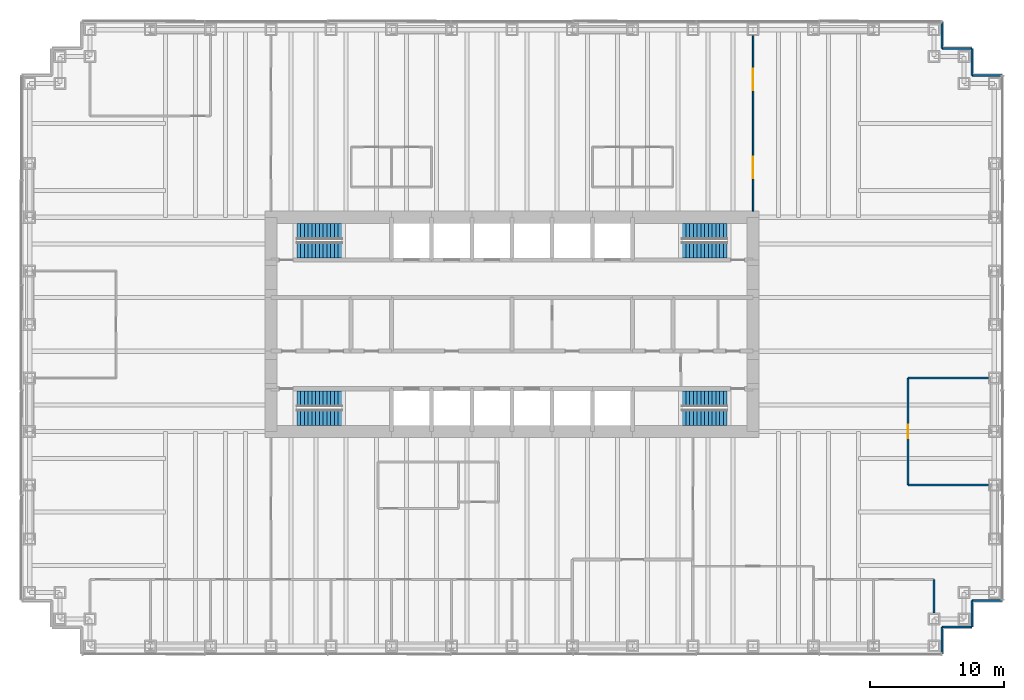
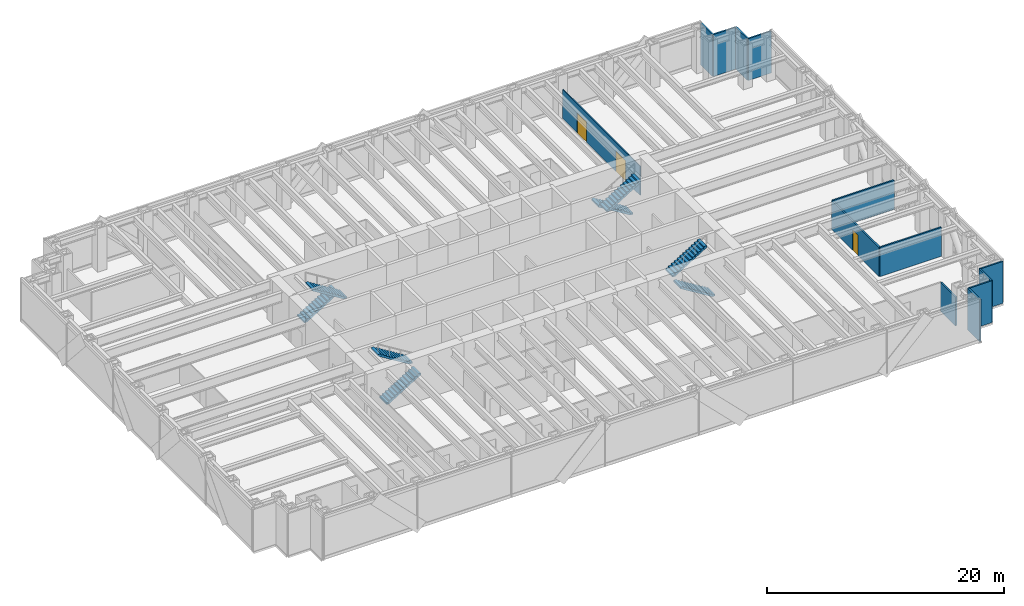
# One storey, part 12 of 13: 13 walls, 8 stair flights, 3 doors, 3 openings, 4 elements without a shape of their own.
"""IFC4 building model written with IfcOpenShell, lengths in metres."""

from ifc_helpers import new_model, si_unit, direction, frame, frame_2d, origin, place, context, subcontext, project, spatial, polyline, rectangle, outline, extrude, material, layer, layer_set, type_object, element, fill, aggregate, save


model = new_model("IFC4")

# Units and contexts
model_context = context("Model", 3, precision=1e-05, world=origin(), true_north=direction((0.0, 1.0)))
body_context = subcontext(model_context, "Body", "Model", "MODEL_VIEW")
ifc_project = project(units=[si_unit("LENGTHUNIT", "METRE"), si_unit("AREAUNIT", "SQUARE_METRE"), si_unit("VOLUMEUNIT", "CUBIC_METRE"), si_unit("PLANEANGLEUNIT", "RADIAN"), si_unit("MASSUNIT", "GRAM", prefix="KILO")], contexts=[model_context])

# Site, building, storey
site_placement = place(None, origin())
site = spatial("IfcSite", under=ifc_project, at=site_placement, CompositionType="ELEMENT")
building_placement = place(site_placement, origin())
building = spatial("IfcBuilding", under=site, at=building_placement, Name="Rheinbord Bourse Tower", CompositionType="ELEMENT")
storey_placement = place(building_placement, frame((0.0, 0.0, 86.0)))
storey = spatial("IfcBuildingStorey", under=building, at=storey_placement, Name="L18", CompositionType="ELEMENT", Elevation=86.0)

# Walls
ifc_material_1 = material(Name="Black metal rainscreen panel", Category="aluminium")
ifc_layer_1 = layer(ifc_material_1, 0.14990234375)
ifc_layer_set_1 = layer_set([ifc_layer_1], Name="CORNER PIER CLADDING 150")
wall_type_1 = type_object("IfcWallType", Name="CORNER PIER CLADDING 150", PredefinedType="ELEMENTEDWALL", material=ifc_layer_set_1)
wall_1_placement = place(storey_placement, frame((68.10009765625, -0.60009765625, 0.0), z_axis=(0.0, 0.0, 1.0), x_axis=(0.0, 1.0, 0.0)))
element("IfcWall", 1, at=wall_1_placement, inside=storey, type_object=wall_type_1, Name="Corner pier cladding L18 2", PredefinedType="ELEMENTEDWALL", context=body_context, shape_type="SweptSolid", body=[
    extrude(rectangle(XDim=2.0, YDim=0.14990234375, at=frame_2d((1.0, 0.0))), origin(), (0.0, 0.0, 1.0), 4.320068359375),
])
wall_2_placement = place(storey_placement, frame((68.10009765625, 1.39990234375, 0.0), z_axis=(0.0, 0.0, 1.0), x_axis=(1.0, 0.0, 0.0)))
element("IfcWall", 2, at=wall_2_placement, inside=storey, type_object=wall_type_1, Name="Corner pier cladding L18 3", PredefinedType="ELEMENTEDWALL", context=body_context, shape_type="SweptSolid", body=[
    extrude(rectangle(XDim=2.25, YDim=0.14990234375, at=frame_2d((1.125, 0.0))), origin(), (0.0, 0.0, 1.0), 4.320068359375),
])
wall_3_placement = place(storey_placement, frame((70.35009765625, 1.39990234375, 0.0), z_axis=(0.0, 0.0, 1.0), x_axis=(0.0, 1.0, 0.0)))
element("IfcWall", 3, at=wall_3_placement, inside=storey, type_object=wall_type_1, Name="Corner pier cladding L18 4", PredefinedType="ELEMENTEDWALL", context=body_context, shape_type="SweptSolid", body=[
    extrude(rectangle(XDim=2.0, YDim=0.14990234375, at=frame_2d((1.0, 0.0))), origin(), (0.0, 0.0, 1.0), 4.320068359375),
])
for number, where, z_axis, x_axis, name in (
    (4, (70.35009765625, 3.39990234375, 0.0), (0.0, 0.0, 1.0), (1.0, 0.0, 0.0), "Corner pier cladding L18 5"),
    (5, (72.60009765625, 42.60009765625, 0.0), (0.0, 0.0, 1.0), (-1.0, 0.0, 0.0), "Corner pier cladding L18 7"),
):
    element("IfcWall", number, at=place(storey_placement, frame(where, z_axis=z_axis, x_axis=x_axis)), inside=storey, type_object=wall_type_1, Name=name, PredefinedType="ELEMENTEDWALL", context=body_context, shape_type="SweptSolid", body=[
        extrude(rectangle(XDim=2.25, YDim=0.14990234375, at=frame_2d((1.125, 0.0))), origin(), (0.0, 0.0, 1.0), 4.320068359375),
    ])
wall_4_placement = place(storey_placement, frame((70.35009765625, 42.60009765625, 0.0), z_axis=(0.0, 0.0, 1.0), x_axis=(0.0, 1.0, 0.0)))
element("IfcWall", 6, at=wall_4_placement, inside=storey, type_object=wall_type_1, Name="Corner pier cladding L18 8", PredefinedType="ELEMENTEDWALL", context=body_context, shape_type="SweptSolid", body=[
    extrude(rectangle(XDim=2.0, YDim=0.14990234375, at=frame_2d((1.0, 0.0))), origin(), (0.0, 0.0, 1.0), 4.320068359375),
])
wall_5_placement = place(storey_placement, frame((70.35009765625, 44.60009765625, 0.0), z_axis=(0.0, 0.0, 1.0), x_axis=(-1.0, 0.0, 0.0)))
element("IfcWall", 7, at=wall_5_placement, inside=storey, type_object=wall_type_1, Name="Corner pier cladding L18 9", PredefinedType="ELEMENTEDWALL", context=body_context, shape_type="SweptSolid", body=[
    extrude(rectangle(XDim=2.25, YDim=0.14990234375, at=frame_2d((1.125, 0.0))), origin(), (0.0, 0.0, 1.0), 4.320068359375),
])
wall_6_placement = place(storey_placement, frame((68.10009765625, 44.60009765625, 0.0), z_axis=(0.0, 0.0, 1.0), x_axis=(0.0, 1.0, 0.0)))
element("IfcWall", 8, at=wall_6_placement, inside=storey, type_object=wall_type_1, Name="Corner pier cladding L18 10", PredefinedType="ELEMENTEDWALL", context=body_context, shape_type="SweptSolid", body=[
    extrude(rectangle(XDim=2.0, YDim=0.14990234375, at=frame_2d((1.0, 0.0))), origin(), (0.0, 0.0, 1.0), 4.320068359375),
])

# Wall, openings, doors
ifc_material_2 = material(Name="Toughened laminated glass partition", Category="glass")
ifc_layer_2 = layer(ifc_material_2, 0.10009765625)
ifc_layer_set_2 = layer_set([ifc_layer_2], Name="GLAZED PARTITION 100")
wall_type_2 = type_object("IfcWallType", Name="GLAZED PARTITION 100", PredefinedType="PARTITIONING", material=ifc_layer_set_2)
wall_7_placement = place(storey_placement, frame((54.0, 32.449951171875, 0.0), z_axis=(0.0, 0.0, 1.0), x_axis=(0.0, 1.0, 0.0)))
wall_7 = element("IfcWall", 9, at=wall_7_placement, inside=storey, type_object=wall_type_2, Name="Partition L18-43", PredefinedType="PARTITIONING", context=body_context, shape_type="SweptSolid", body=[
    extrude(rectangle(XDim=13.10009765625, YDim=0.10009765625, at=frame_2d((6.550048828125, 0.0))), origin(), (0.0, 0.0, 1.0), 3.0),
])
opening_1_placement = place(wall_7_placement, frame((2.47509765625, 0.0, 0.0)))
opening_1 = element("IfcOpeningElement", 10, at=opening_1_placement, cuts=wall_7, Name="Opening 18D26", PredefinedType="OPENING", context=body_context, shape_type="SweptSolid", body=[
    extrude(rectangle(XDim=1.60009765625, YDim=2.10009765625, at=frame_2d((0.800048828125, 1.050048828125))), frame((0.0, 0.06005859375, 0.0), z_axis=(0.0, -1.0, 0.0), x_axis=(1.0, 0.0, 0.0)), (0.0, 0.0, 1.0), 0.1201171875),
])
opening_2_placement = place(wall_7_placement, frame((9.02490234375, 0.0, 0.0)))
opening_2 = element("IfcOpeningElement", 11, at=opening_2_placement, cuts=wall_7, Name="Opening 18D27", PredefinedType="OPENING", context=body_context, shape_type="SweptSolid", body=[
    extrude(rectangle(XDim=1.60009765625, YDim=2.10009765625, at=frame_2d((0.800048828125, 1.050048828125))), frame((0.0, 0.06005859375, 0.0), z_axis=(0.0, -1.0, 0.0), x_axis=(1.0, 0.0, 0.0)), (0.0, 0.0, 1.0), 0.1201171875),
])
ifc_material_3 = material(Name="Timber door", Category="wood")
door_type_1 = type_object("IfcDoorType", Name="DOUBLE ROOM DOOR 1600", OperationType="DOUBLE_DOOR_DOUBLE_SWING", PredefinedType="DOOR", material=ifc_material_3)
door_1_placement = place(opening_1_placement, origin())
door_1 = element("IfcDoor", 12, at=door_1_placement, inside=storey, type_object=door_type_1, Name="Open area door L18", OperationType="SINGLE_SWING_LEFT", OverallHeight=2.10009765625, OverallWidth=1.60009765625, PredefinedType="DOOR", context=body_context, shape_type="SweptSolid", body=[
    extrude(rectangle(XDim=1.60009765625, YDim=2.10009765625, at=frame_2d((0.800048828125, 1.050048828125))), frame((0.0, 0.02490234375, 0.0), z_axis=(0.0, -1.0, 0.0), x_axis=(1.0, 0.0, 0.0)), (0.0, 0.0, 1.0), 0.050048828125),
])
fill(opening_1, door_1)
door_2_placement = place(opening_2_placement, origin())
door_2 = element("IfcDoor", 13, at=door_2_placement, inside=storey, type_object=door_type_1, Name="Open area door L18", OperationType="SINGLE_SWING_LEFT", OverallHeight=2.10009765625, OverallWidth=1.60009765625, PredefinedType="DOOR", context=body_context, shape_type="SweptSolid", body=[
    extrude(rectangle(XDim=1.60009765625, YDim=2.10009765625, at=frame_2d((0.800048828125, 1.050048828125))), frame((0.0, 0.02490234375, 0.0), z_axis=(0.0, -1.0, 0.0), x_axis=(1.0, 0.0, 0.0)), (0.0, 0.0, 1.0), 0.050048828125),
])
fill(opening_2, door_2)

# Walls
ifc_material_4 = material(Name="Gypsum board partition", Category="gypsum board")
ifc_layer_3 = layer(ifc_material_4, 0.14990234375)
ifc_layer_set_3 = layer_set([ifc_layer_3], Name="PARTITION 150")
wall_type_3 = type_object("IfcWallType", Name="PARTITION 150", PredefinedType="PARTITIONING", material=ifc_layer_set_3)
for number, where, z_axis, x_axis, name in (
    (14, (65.550048828125, 12.0, 0.0), (0.0, 0.0, 1.0), (1.0, 0.0, 0.0), "Partition L18-07"),
    (15, (65.550048828125, 20.0, 0.0), (0.0, 0.0, 1.0), (1.0, 0.0, 0.0), "Partition L18-11"),
):
    element("IfcWall", number, at=place(storey_placement, frame(where, z_axis=z_axis, x_axis=x_axis)), inside=storey, type_object=wall_type_3, Name=name, PredefinedType="PARTITIONING", context=body_context, shape_type="SweptSolid", body=[
        extrude(rectangle(XDim=6.0, YDim=0.14990234375, at=frame_2d((3.0, 0.0))), origin(), (0.0, 0.0, 1.0), 3.0),
    ])

# Wall, opening, door
wall_8_placement = place(storey_placement, frame((65.550048828125, 12.0, 0.0), z_axis=(0.0, 0.0, 1.0), x_axis=(0.0, 1.0, 0.0)))
wall_8 = element("IfcWall", 16, at=wall_8_placement, inside=storey, type_object=wall_type_3, Name="Partition L18-47", PredefinedType="PARTITIONING", context=body_context, shape_type="SweptSolid", body=[
    extrude(rectangle(XDim=8.0, YDim=0.14990234375, at=frame_2d((4.0, 0.0))), origin(), (0.0, 0.0, 1.0), 3.0),
])
opening_3_placement = place(wall_8_placement, frame((3.5, 0.0, 0.0)))
opening_3 = element("IfcOpeningElement", 17, at=opening_3_placement, cuts=wall_8, Name="Opening 18D15", PredefinedType="OPENING", context=body_context, shape_type="SweptSolid", body=[
    extrude(rectangle(XDim=1.0, YDim=2.10009765625, at=frame_2d((0.5, 1.050048828125))), frame((0.0, 0.0849609375, 0.0), z_axis=(0.0, -1.0, 0.0), x_axis=(1.0, 0.0, 0.0)), (0.0, 0.0, 1.0), 0.169921875),
])
ifc_material_5 = material(Name="Timber door", Category="wood")
door_type_2 = type_object("IfcDoorType", Name="ROOM DOOR 1000", OperationType="SINGLE_SWING_LEFT", PredefinedType="DOOR", material=ifc_material_5)
door_3_placement = place(opening_3_placement, origin())
door_3 = element("IfcDoor", 18, at=door_3_placement, inside=storey, type_object=door_type_2, Name="Pantry door L18", OperationType="SINGLE_SWING_LEFT", OverallHeight=2.10009765625, OverallWidth=1.0, PredefinedType="DOOR", context=body_context, shape_type="SweptSolid", body=[
    extrude(rectangle(XDim=1.0, YDim=2.10009765625, at=frame_2d((0.5, 1.050048828125))), frame((0.0, 0.02490234375, 0.0), z_axis=(0.0, -1.0, 0.0), x_axis=(1.0, 0.0, 0.0)), (0.0, 0.0, 1.0), 0.050048828125),
])
fill(opening_3, door_3)

# Wall
wall_9_placement = place(storey_placement, frame((67.5, 2.449951171875, 0.0), z_axis=(0.0, 0.0, 1.0), x_axis=(0.0, 1.0, 0.0)))
element("IfcWall", 19, at=wall_9_placement, inside=storey, type_object=wall_type_3, Name="Partition L18-48", PredefinedType="PARTITIONING", context=body_context, shape_type="SweptSolid", body=[
    extrude(rectangle(XDim=2.5, YDim=0.14990234375, at=frame_2d((1.25, 0.0))), origin(), (0.0, 0.0, 1.0), 3.0),
])

# Stair, stair flights
ifc_material_6 = material(Name="Concrete C30/37", Category="concrete")
stair_type = type_object("IfcStairType", Name="CORE STAIR HALF TURN 4500", PredefinedType="HALF_TURN_STAIR", material=ifc_material_6)
stair_1_placement = place(storey_placement, origin())
stair_1 = element("IfcStair", 20, at=stair_1_placement, inside=storey, type_object=stair_type, Name="Stair ST1 L18, type CS4", PredefinedType="HALF_TURN_STAIR")
ifc_material_7 = material(Name="Concrete C30/37", Category="concrete")
stair_flight_type = type_object("IfcStairFlightType", Name="CORE STAIR FLIGHT 1200, 13 RISERS", PredefinedType="STRAIGHT", material=ifc_material_7)
stair_flight_1_placement = place(storey_placement, frame((19.949951171875, 17.050048828125, 0.0), z_axis=(0.0, 0.0, 1.0), x_axis=(1.0, 0.0, 0.0)))
stair_flight_1 = element("IfcStairFlight", 21, at=stair_flight_1_placement, type_object=stair_flight_type, Name="STAIR L18 ST1 F1", NumberOfRisers=13, NumberOfTreads=12, PredefinedType="STRAIGHT", RiserHeight=0.173076923, TreadLength=0.28, context=body_context, shape_type="SweptSolid", body=[
    extrude(outline(polyline([(0.0, 0.0), (0.0, 0.173095703125), (0.280029296875, 0.173095703125), (0.280029296875, 0.34619140625), (0.56005859375, 0.34619140625), (0.56005859375, 0.519287109375), (0.840087890625, 0.519287109375), (0.840087890625, 0.6923828125), (1.1201171875, 0.6923828125), (1.1201171875, 0.865478515625), (1.39990234375, 0.865478515625), (1.39990234375, 1.03857421875), (1.679931640625, 1.03857421875), (1.679931640625, 1.21142578125), (1.9599609375, 1.21142578125), (1.9599609375, 1.384521484375), (2.239990234375, 1.384521484375), (2.239990234375, 1.5576171875), (2.52001953125, 1.5576171875), (2.52001953125, 1.730712890625), (2.800048828125, 1.730712890625), (2.800048828125, 1.90380859375), (3.080078125, 1.90380859375), (3.080078125, 2.076904296875), (3.360107421875, 2.076904296875), (3.360107421875, 2.25), (3.360107421875, 1.900634765625), (0.28515625, 0.0), (0.0, 0.0)])), frame((0.0, 0.60009765625, 0.0), z_axis=(0.0, -1.0, 0.0), x_axis=(1.0, 0.0, 0.0)), (0.0, 0.0, 1.0), 1.199951171875),
])
stair_flight_2_placement = place(storey_placement, frame((23.31005859375, 18.449951171875, 2.25), z_axis=(0.0, 0.0, 1.0), x_axis=(-1.0, 0.0, 0.0)))
stair_flight_2 = element("IfcStairFlight", 22, at=stair_flight_2_placement, type_object=stair_flight_type, Name="STAIR L18 ST1 F2", NumberOfRisers=13, NumberOfTreads=12, PredefinedType="STRAIGHT", RiserHeight=0.173076923, TreadLength=0.28, context=body_context, shape_type="SweptSolid", body=[
    extrude(outline(polyline([(0.0, 0.0), (0.0, 0.173095703125), (0.280029296875, 0.173095703125), (0.280029296875, 0.34619140625), (0.56005859375, 0.34619140625), (0.56005859375, 0.519287109375), (0.840087890625, 0.519287109375), (0.840087890625, 0.6923828125), (1.1201171875, 0.6923828125), (1.1201171875, 0.865478515625), (1.39990234375, 0.865478515625), (1.39990234375, 1.03857421875), (1.679931640625, 1.03857421875), (1.679931640625, 1.21142578125), (1.9599609375, 1.21142578125), (1.9599609375, 1.384521484375), (2.239990234375, 1.384521484375), (2.239990234375, 1.5576171875), (2.52001953125, 1.5576171875), (2.52001953125, 1.730712890625), (2.800048828125, 1.730712890625), (2.800048828125, 1.90380859375), (3.080078125, 1.90380859375), (3.080078125, 2.076904296875), (3.360107421875, 2.076904296875), (3.360107421875, 2.25), (3.360107421875, 1.900634765625), (0.28515625, 0.0), (0.0, 0.0)])), frame((0.0, 0.60009765625, 0.0), z_axis=(0.0, -1.0, 0.0), x_axis=(1.0, 0.0, 0.0)), (0.0, 0.0, 1.0), 1.199951171875),
])
aggregate(stair_1, [stair_flight_1, stair_flight_2])

stair_2_placement = place(storey_placement, origin())
stair_2 = element("IfcStair", 23, at=stair_2_placement, inside=storey, type_object=stair_type, Name="Stair ST2 L18, type CS4", PredefinedType="HALF_TURN_STAIR")
stair_flight_3_placement = place(storey_placement, frame((19.949951171875, 30.949951171875, 0.0), z_axis=(0.0, 0.0, 1.0), x_axis=(1.0, 0.0, 0.0)))
stair_flight_3 = element("IfcStairFlight", 24, at=stair_flight_3_placement, type_object=stair_flight_type, Name="STAIR L18 ST2 F1", NumberOfRisers=13, NumberOfTreads=12, PredefinedType="STRAIGHT", RiserHeight=0.173076923, TreadLength=0.28, context=body_context, shape_type="SweptSolid", body=[
    extrude(outline(polyline([(0.0, 0.0), (0.0, 0.173095703125), (0.280029296875, 0.173095703125), (0.280029296875, 0.34619140625), (0.56005859375, 0.34619140625), (0.56005859375, 0.519287109375), (0.840087890625, 0.519287109375), (0.840087890625, 0.6923828125), (1.1201171875, 0.6923828125), (1.1201171875, 0.865478515625), (1.39990234375, 0.865478515625), (1.39990234375, 1.03857421875), (1.679931640625, 1.03857421875), (1.679931640625, 1.21142578125), (1.9599609375, 1.21142578125), (1.9599609375, 1.384521484375), (2.239990234375, 1.384521484375), (2.239990234375, 1.5576171875), (2.52001953125, 1.5576171875), (2.52001953125, 1.730712890625), (2.800048828125, 1.730712890625), (2.800048828125, 1.90380859375), (3.080078125, 1.90380859375), (3.080078125, 2.076904296875), (3.360107421875, 2.076904296875), (3.360107421875, 2.25), (3.360107421875, 1.900634765625), (0.28515625, 0.0), (0.0, 0.0)])), frame((0.0, 0.60009765625, 0.0), z_axis=(0.0, -1.0, 0.0), x_axis=(1.0, 0.0, 0.0)), (0.0, 0.0, 1.0), 1.199951171875),
])
stair_flight_4_placement = place(storey_placement, frame((23.31005859375, 29.550048828125, 2.25), z_axis=(0.0, 0.0, 1.0), x_axis=(-1.0, 0.0, 0.0)))
stair_flight_4 = element("IfcStairFlight", 25, at=stair_flight_4_placement, type_object=stair_flight_type, Name="STAIR L18 ST2 F2", NumberOfRisers=13, NumberOfTreads=12, PredefinedType="STRAIGHT", RiserHeight=0.173076923, TreadLength=0.28, context=body_context, shape_type="SweptSolid", body=[
    extrude(outline(polyline([(0.0, 0.0), (0.0, 0.173095703125), (0.280029296875, 0.173095703125), (0.280029296875, 0.34619140625), (0.56005859375, 0.34619140625), (0.56005859375, 0.519287109375), (0.840087890625, 0.519287109375), (0.840087890625, 0.6923828125), (1.1201171875, 0.6923828125), (1.1201171875, 0.865478515625), (1.39990234375, 0.865478515625), (1.39990234375, 1.03857421875), (1.679931640625, 1.03857421875), (1.679931640625, 1.21142578125), (1.9599609375, 1.21142578125), (1.9599609375, 1.384521484375), (2.239990234375, 1.384521484375), (2.239990234375, 1.5576171875), (2.52001953125, 1.5576171875), (2.52001953125, 1.730712890625), (2.800048828125, 1.730712890625), (2.800048828125, 1.90380859375), (3.080078125, 1.90380859375), (3.080078125, 2.076904296875), (3.360107421875, 2.076904296875), (3.360107421875, 2.25), (3.360107421875, 1.900634765625), (0.28515625, 0.0), (0.0, 0.0)])), frame((0.0, 0.60009765625, 0.0), z_axis=(0.0, -1.0, 0.0), x_axis=(1.0, 0.0, 0.0)), (0.0, 0.0, 1.0), 1.199951171875),
])
aggregate(stair_2, [stair_flight_3, stair_flight_4])

stair_3_placement = place(storey_placement, origin())
stair_3 = element("IfcStair", 26, at=stair_3_placement, inside=storey, type_object=stair_type, Name="Stair ST3 L18, type CS4", PredefinedType="HALF_TURN_STAIR")
stair_flight_5_placement = place(storey_placement, frame((52.050048828125, 17.050048828125, 0.0), z_axis=(0.0, 0.0, 1.0), x_axis=(-1.0, 0.0, 0.0)))
stair_flight_5 = element("IfcStairFlight", 27, at=stair_flight_5_placement, type_object=stair_flight_type, Name="STAIR L18 ST3 F1", NumberOfRisers=13, NumberOfTreads=12, PredefinedType="STRAIGHT", RiserHeight=0.173076923, TreadLength=0.28, context=body_context, shape_type="SweptSolid", body=[
    extrude(outline(polyline([(0.0, 0.0), (0.0, 0.173095703125), (0.280029296875, 0.173095703125), (0.280029296875, 0.34619140625), (0.56005859375, 0.34619140625), (0.56005859375, 0.519287109375), (0.840087890625, 0.519287109375), (0.840087890625, 0.6923828125), (1.1201171875, 0.6923828125), (1.1201171875, 0.865478515625), (1.39990234375, 0.865478515625), (1.39990234375, 1.03857421875), (1.679931640625, 1.03857421875), (1.679931640625, 1.21142578125), (1.9599609375, 1.21142578125), (1.9599609375, 1.384521484375), (2.239990234375, 1.384521484375), (2.239990234375, 1.5576171875), (2.52001953125, 1.5576171875), (2.52001953125, 1.730712890625), (2.800048828125, 1.730712890625), (2.800048828125, 1.90380859375), (3.080078125, 1.90380859375), (3.080078125, 2.076904296875), (3.360107421875, 2.076904296875), (3.360107421875, 2.25), (3.360107421875, 1.900634765625), (0.28515625, 0.0), (0.0, 0.0)])), frame((0.0, 0.60009765625, 0.0), z_axis=(0.0, -1.0, 0.0), x_axis=(1.0, 0.0, 0.0)), (0.0, 0.0, 1.0), 1.199951171875),
])
stair_flight_6_placement = place(storey_placement, frame((48.68994140625, 18.449951171875, 2.25), z_axis=(0.0, 0.0, 1.0), x_axis=(1.0, 0.0, 0.0)))
stair_flight_6 = element("IfcStairFlight", 28, at=stair_flight_6_placement, type_object=stair_flight_type, Name="STAIR L18 ST3 F2", NumberOfRisers=13, NumberOfTreads=12, PredefinedType="STRAIGHT", RiserHeight=0.173076923, TreadLength=0.28, context=body_context, shape_type="SweptSolid", body=[
    extrude(outline(polyline([(0.0, 0.0), (0.0, 0.173095703125), (0.280029296875, 0.173095703125), (0.280029296875, 0.34619140625), (0.56005859375, 0.34619140625), (0.56005859375, 0.519287109375), (0.840087890625, 0.519287109375), (0.840087890625, 0.6923828125), (1.1201171875, 0.6923828125), (1.1201171875, 0.865478515625), (1.39990234375, 0.865478515625), (1.39990234375, 1.03857421875), (1.679931640625, 1.03857421875), (1.679931640625, 1.21142578125), (1.9599609375, 1.21142578125), (1.9599609375, 1.384521484375), (2.239990234375, 1.384521484375), (2.239990234375, 1.5576171875), (2.52001953125, 1.5576171875), (2.52001953125, 1.730712890625), (2.800048828125, 1.730712890625), (2.800048828125, 1.90380859375), (3.080078125, 1.90380859375), (3.080078125, 2.076904296875), (3.360107421875, 2.076904296875), (3.360107421875, 2.25), (3.360107421875, 1.900634765625), (0.28515625, 0.0), (0.0, 0.0)])), frame((0.0, 0.60009765625, 0.0), z_axis=(0.0, -1.0, 0.0), x_axis=(1.0, 0.0, 0.0)), (0.0, 0.0, 1.0), 1.199951171875),
])
aggregate(stair_3, [stair_flight_5, stair_flight_6])

stair_4_placement = place(storey_placement, origin())
stair_4 = element("IfcStair", 29, at=stair_4_placement, inside=storey, type_object=stair_type, Name="Stair ST4 L18, type CS4", PredefinedType="HALF_TURN_STAIR")
stair_flight_7_placement = place(storey_placement, frame((52.050048828125, 30.949951171875, 0.0), z_axis=(0.0, 0.0, 1.0), x_axis=(-1.0, 0.0, 0.0)))
stair_flight_7 = element("IfcStairFlight", 30, at=stair_flight_7_placement, type_object=stair_flight_type, Name="STAIR L18 ST4 F1", NumberOfRisers=13, NumberOfTreads=12, PredefinedType="STRAIGHT", RiserHeight=0.173076923, TreadLength=0.28, context=body_context, shape_type="SweptSolid", body=[
    extrude(outline(polyline([(0.0, 0.0), (0.0, 0.173095703125), (0.280029296875, 0.173095703125), (0.280029296875, 0.34619140625), (0.56005859375, 0.34619140625), (0.56005859375, 0.519287109375), (0.840087890625, 0.519287109375), (0.840087890625, 0.6923828125), (1.1201171875, 0.6923828125), (1.1201171875, 0.865478515625), (1.39990234375, 0.865478515625), (1.39990234375, 1.03857421875), (1.679931640625, 1.03857421875), (1.679931640625, 1.21142578125), (1.9599609375, 1.21142578125), (1.9599609375, 1.384521484375), (2.239990234375, 1.384521484375), (2.239990234375, 1.5576171875), (2.52001953125, 1.5576171875), (2.52001953125, 1.730712890625), (2.800048828125, 1.730712890625), (2.800048828125, 1.90380859375), (3.080078125, 1.90380859375), (3.080078125, 2.076904296875), (3.360107421875, 2.076904296875), (3.360107421875, 2.25), (3.360107421875, 1.900634765625), (0.28515625, 0.0), (0.0, 0.0)])), frame((0.0, 0.60009765625, 0.0), z_axis=(0.0, -1.0, 0.0), x_axis=(1.0, 0.0, 0.0)), (0.0, 0.0, 1.0), 1.199951171875),
])
stair_flight_8_placement = place(storey_placement, frame((48.68994140625, 29.550048828125, 2.25), z_axis=(0.0, 0.0, 1.0), x_axis=(1.0, 0.0, 0.0)))
stair_flight_8 = element("IfcStairFlight", 31, at=stair_flight_8_placement, type_object=stair_flight_type, Name="STAIR L18 ST4 F2", NumberOfRisers=13, NumberOfTreads=12, PredefinedType="STRAIGHT", RiserHeight=0.173076923, TreadLength=0.28, context=body_context, shape_type="SweptSolid", body=[
    extrude(outline(polyline([(0.0, 0.0), (0.0, 0.173095703125), (0.280029296875, 0.173095703125), (0.280029296875, 0.34619140625), (0.56005859375, 0.34619140625), (0.56005859375, 0.519287109375), (0.840087890625, 0.519287109375), (0.840087890625, 0.6923828125), (1.1201171875, 0.6923828125), (1.1201171875, 0.865478515625), (1.39990234375, 0.865478515625), (1.39990234375, 1.03857421875), (1.679931640625, 1.03857421875), (1.679931640625, 1.21142578125), (1.9599609375, 1.21142578125), (1.9599609375, 1.384521484375), (2.239990234375, 1.384521484375), (2.239990234375, 1.5576171875), (2.52001953125, 1.5576171875), (2.52001953125, 1.730712890625), (2.800048828125, 1.730712890625), (2.800048828125, 1.90380859375), (3.080078125, 1.90380859375), (3.080078125, 2.076904296875), (3.360107421875, 2.076904296875), (3.360107421875, 2.25), (3.360107421875, 1.900634765625), (0.28515625, 0.0), (0.0, 0.0)])), frame((0.0, 0.60009765625, 0.0), z_axis=(0.0, -1.0, 0.0), x_axis=(1.0, 0.0, 0.0)), (0.0, 0.0, 1.0), 1.199951171875),
])
aggregate(stair_4, [stair_flight_7, stair_flight_8])

save(model, "model.ifc")
